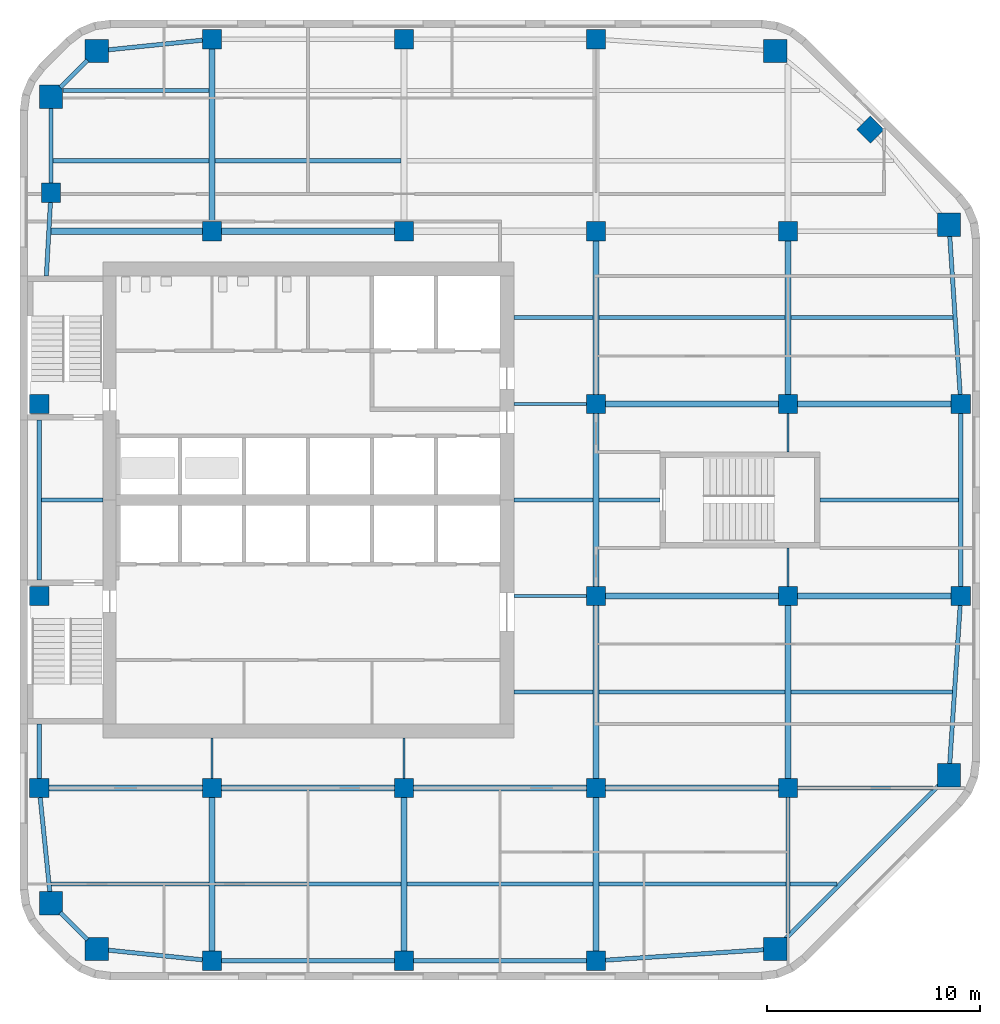
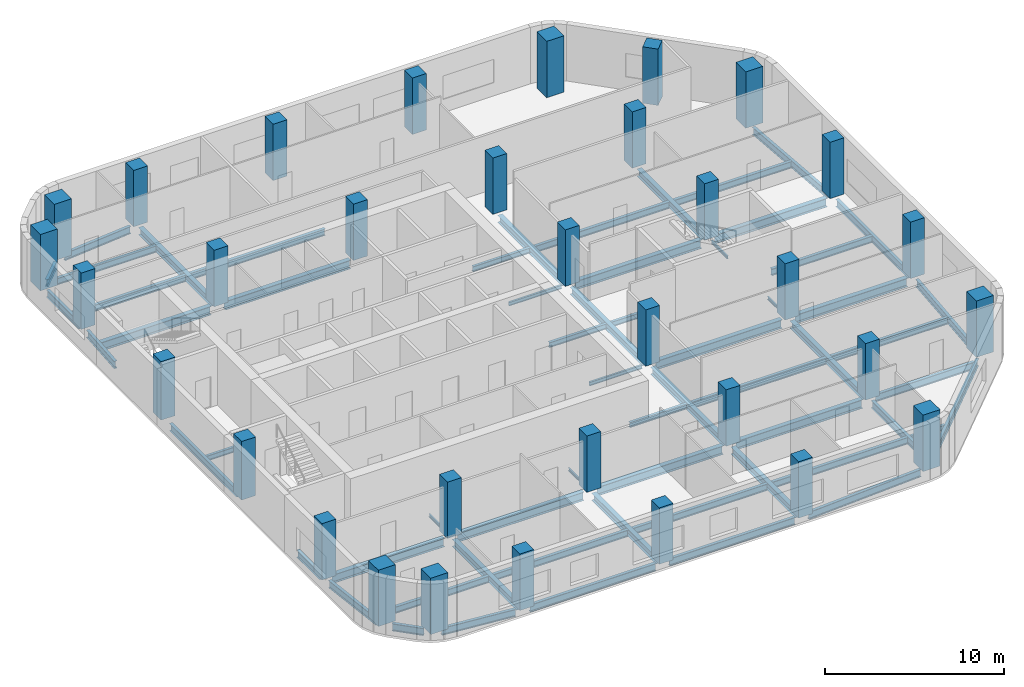
# One storey, part 1 of 9: 61 beams, 33 columns.
"""IFC4 building model written with IfcOpenShell, lengths in metres."""

from ifc_helpers import new_model, si_unit, direction, frame, origin, origin_2d, place, context, subcontext, project, spatial, rectangle, i_section, extrude, material, material_profile, profile_set, type_object, element, save


model = new_model("IFC4")

# Units and contexts
model_context = context("Model", 3, precision=1e-05, world=origin(), true_north=direction((0.0, 1.0)))
body_context = subcontext(model_context, "Body", "Model", "MODEL_VIEW")
ifc_project = project(units=[si_unit("LENGTHUNIT", "METRE"), si_unit("AREAUNIT", "SQUARE_METRE"), si_unit("VOLUMEUNIT", "CUBIC_METRE"), si_unit("PLANEANGLEUNIT", "RADIAN"), si_unit("MASSUNIT", "GRAM", prefix="KILO")], contexts=[model_context])

# Site, building, storey
site_placement = place(None, origin())
site = spatial("IfcSite", under=ifc_project, at=site_placement, CompositionType="ELEMENT")
building_placement = place(site_placement, origin())
building = spatial("IfcBuilding", under=site, at=building_placement, Name="Cinnabar Reach Civic Tower", CompositionType="ELEMENT")
storey_placement = place(building_placement, frame((0.0, 0.0, 153.0)))
storey = spatial("IfcBuildingStorey", under=building, at=storey_placement, Name="L36", CompositionType="ELEMENT", Elevation=153.0)

# Columns
ifc_material_1 = material(Name="Concrete C80", Category="concrete")
ifc_material_profile_1 = material_profile(ifc_material_1, rectangle(XDim=1.1, YDim=1.1, at=origin_2d()), Name="RC1100")
ifc_profile_set_1 = profile_set([ifc_material_profile_1], Name="Concrete C80")
column_type_1 = type_object("IfcColumnType", Name="RC1100 column R 240", PredefinedType="COLUMN", material=ifc_profile_set_1)
for number, where, z_axis, x_axis, name in (
    (1, (3.6019, 10.4531, 0.0), (0.0, 0.0, 1.0), (1.0, 0.0, 0.0), "Column T1-Z3-CC0"),
    (2, (35.3981, 10.4531, 0.0), (0.0, 0.0, 1.0), (1.0, 0.0, 0.0), "Column T1-Z3-CC1"),
    (3, (43.5469, 18.6019, 0.0), (0.0, 0.0, 1.0), (1.0, 0.0, 0.0), "Column T1-Z3-CC2"),
    (4, (43.5469, 44.3981, 0.0), (0.0, 0.0, 1.0), (1.0, 0.0, 0.0), "Column T1-Z3-CC3"),
    (5, (35.3981, 52.5469, 0.0), (0.0, 0.0, 1.0), (1.0, 0.0, 0.0), "Column T1-Z3-CC4"),
    (6, (3.6019, 52.5469, 0.0), (0.0, 0.0, 1.0), (1.0, 0.0, 0.0), "Column T1-Z3-CC5"),
    (7, (1.4531, 50.3981, 0.0), (0.0, 0.0, 1.0), (1.0, 0.0, 0.0), "Column T1-Z3-CC6"),
    (8, (1.4531, 12.6019, 0.0), (0.0, 0.0, 1.0), (1.0, 0.0, 0.0), "Column T1-Z3-CC7"),
):
    element("IfcColumn", number, at=place(storey_placement, frame(where, z_axis=z_axis, x_axis=x_axis)), inside=storey, type_object=column_type_1, Name=name, PredefinedType="COLUMN", context=body_context, shape_type="SweptSolid", body=[
        extrude(rectangle(XDim=1.1, YDim=1.1, at=origin_2d()), origin(), (0.0, 0.0, 1.0), 3.85),
    ])
ifc_material_2 = material(Name="Concrete C70", Category="concrete")
ifc_material_profile_2 = material_profile(ifc_material_2, rectangle(XDim=0.9, YDim=0.9, at=origin_2d()), Name="RC900")
ifc_profile_set_2 = profile_set([ifc_material_profile_2], Name="Concrete C70")
column_type_2 = type_object("IfcColumnType", Name="RC900 column R 240", PredefinedType="COLUMN", material=ifc_profile_set_2)
for number, where, z_axis, x_axis, name in (
    (9, (9.0, 9.9, 0.0), (0.0, 0.0, 1.0), (1.0, 0.0, 0.0), "Column T1-Z3-F0-1"),
    (10, (18.0, 9.9, 0.0), (0.0, 0.0, 1.0), (1.0, 0.0, 0.0), "Column T1-Z3-F0-2"),
    (11, (27.0, 9.9, 0.0), (0.0, 0.0, 1.0), (1.0, 0.0, 0.0), "Column T1-Z3-F0-3"),
    (12, (44.1, 27.0, 0.0), (0.0, 0.0, 1.0), (1.0, 0.0, 0.0), "Column T1-Z3-F2-3"),
    (13, (44.1, 36.0, 0.0), (0.0, 0.0, 1.0), (1.0, 0.0, 0.0), "Column T1-Z3-F2-4"),
    (14, (39.8636, 48.8636, 0.0), (0.0, 0.0, 1.0), (0.707106781187, 0.707106781187, 0.0), "Column T1-Z3-F3-M"),
    (15, (9.0, 53.1, 0.0), (0.0, 0.0, 1.0), (1.0, 0.0, 0.0), "Column T1-Z3-F4-1"),
    (16, (18.0, 53.1, 0.0), (0.0, 0.0, 1.0), (1.0, 0.0, 0.0), "Column T1-Z3-F4-2"),
    (17, (27.0, 53.1, 0.0), (0.0, 0.0, 1.0), (1.0, 0.0, 0.0), "Column T1-Z3-F4-3"),
    (18, (0.9, 18.0, 0.0), (0.0, 0.0, 1.0), (1.0, 0.0, 0.0), "Column T1-Z3-F6-2"),
):
    element("IfcColumn", number, at=place(storey_placement, frame(where, z_axis=z_axis, x_axis=x_axis)), inside=storey, type_object=column_type_2, Name=name, PredefinedType="COLUMN", context=body_context, shape_type="SweptSolid", body=[
        extrude(rectangle(XDim=0.9, YDim=0.9, at=origin_2d()), origin(), (0.0, 0.0, 1.0), 3.85),
    ])
for number, where, z_axis, x_axis, name in (
    (19, (0.9, 27.0, 0.0), (0.0, 0.0, 1.0), (1.0, 0.0, 0.0), "Column T1-Z3-F6-3"),
    (20, (0.9, 36.0, 0.0), (0.0, 0.0, 1.0), (1.0, 0.0, 0.0), "Column T1-Z3-F6-4"),
):
    element("IfcColumn", number, at=place(storey_placement, frame(where, z_axis=z_axis, x_axis=x_axis)), inside=storey, type_object=column_type_2, Name=name, PredefinedType="COLUMN", context=body_context, shape_type="SweptSolid", body=[
        extrude(rectangle(XDim=0.9, YDim=0.9, at=origin_2d()), origin(), (0.0, 0.0, 1.0), 4.0),
    ])
for number, where, z_axis, x_axis, name in (
    (21, (1.4531, 45.8981, 0.0), (0.0, 0.0, 1.0), (1.0, 0.0, 0.0), "Column T1-Z3-F6-5"),
    (22, (9.0, 18.0, 0.0), (0.0, 0.0, 1.0), (1.0, 0.0, 0.0), "Column T1-Z3-I9_18"),
    (23, (9.0, 44.1, 0.0), (0.0, 0.0, 1.0), (1.0, 0.0, 0.0), "Column T1-Z3-I9_45"),
    (24, (18.0, 18.0, 0.0), (0.0, 0.0, 1.0), (1.0, 0.0, 0.0), "Column T1-Z3-I18_18"),
    (25, (18.0, 44.1, 0.0), (0.0, 0.0, 1.0), (1.0, 0.0, 0.0), "Column T1-Z3-I18_45"),
    (26, (27.0, 18.0, 0.0), (0.0, 0.0, 1.0), (1.0, 0.0, 0.0), "Column T1-Z3-I27_18"),
    (27, (27.0, 27.0, 0.0), (0.0, 0.0, 1.0), (1.0, 0.0, 0.0), "Column T1-Z3-I27_27"),
    (28, (27.0, 36.0, 0.0), (0.0, 0.0, 1.0), (1.0, 0.0, 0.0), "Column T1-Z3-I27_36"),
    (29, (27.0, 44.1, 0.0), (0.0, 0.0, 1.0), (1.0, 0.0, 0.0), "Column T1-Z3-I27_45"),
    (30, (36.0, 18.0, 0.0), (0.0, 0.0, 1.0), (1.0, 0.0, 0.0), "Column T1-Z3-I36_18"),
    (31, (36.0, 27.0, 0.0), (0.0, 0.0, 1.0), (1.0, 0.0, 0.0), "Column T1-Z3-I36_27"),
    (32, (36.0, 36.0, 0.0), (0.0, 0.0, 1.0), (1.0, 0.0, 0.0), "Column T1-Z3-I36_36"),
    (33, (36.0, 44.1, 0.0), (0.0, 0.0, 1.0), (1.0, 0.0, 0.0), "Column T1-Z3-I36_45"),
):
    element("IfcColumn", number, at=place(storey_placement, frame(where, z_axis=z_axis, x_axis=x_axis)), inside=storey, type_object=column_type_2, Name=name, PredefinedType="COLUMN", context=body_context, shape_type="SweptSolid", body=[
        extrude(rectangle(XDim=0.9, YDim=0.9, at=origin_2d()), origin(), (0.0, 0.0, 1.0), 3.85),
    ])

# Beams
ifc_material_3 = material(Name="Steel Q355B", Category="steel")
ifc_material_profile_3 = material_profile(ifc_material_3, i_section(OverallWidth=0.3, OverallDepth=0.488, WebThickness=0.011, FlangeThickness=0.018, FilletRadius=0.016, at=origin_2d()), Name="HM488x300x11x18")
ifc_profile_set_3 = profile_set([ifc_material_profile_3], Name="Steel Q355B")
beam_type_1 = type_object("IfcBeamType", Name="HM488x300x11x18 beam R 180", PredefinedType="BEAM", material=ifc_profile_set_3)
beam_1_placement = place(storey_placement, frame((9.0, 10.352, -0.394), z_axis=(0.0, 1.0, 0.0), x_axis=(-1.0, 0.0, 0.0)))
element("IfcBeam", 34, at=beam_1_placement, inside=storey, type_object=beam_type_1, Name="Girder T1 L36 1", PredefinedType="BEAM", context=body_context, shape_type="SweptSolid", body=[
    extrude(i_section(OverallWidth=0.3, OverallDepth=0.488, WebThickness=0.011, FlangeThickness=0.018, FilletRadius=0.016, at=origin_2d()), origin(), (0.0, 0.0, 1.0), 7.196),
])
beam_2_placement = place(storey_placement, frame((9.0, 44.552, -0.394), z_axis=(0.0, 1.0, 0.0), x_axis=(-1.0, 0.0, 0.0)))
element("IfcBeam", 35, at=beam_2_placement, inside=storey, type_object=beam_type_1, Name="Girder T1 L36 3", PredefinedType="BEAM", context=body_context, shape_type="SweptSolid", body=[
    extrude(i_section(OverallWidth=0.3, OverallDepth=0.488, WebThickness=0.011, FlangeThickness=0.018, FilletRadius=0.016, at=origin_2d()), origin(), (0.0, 0.0, 1.0), 8.096),
])
for number, where, z_axis, x_axis, name in (
    (36, (18.0, 10.352, -0.394), (0.0, 1.0, 0.0), (-1.0, 0.0, 0.0), "Girder T1 L36 4"),
    (37, (27.0, 10.352, -0.394), (0.0, 1.0, 0.0), (-1.0, 0.0, 0.0), "Girder T1 L36 7"),
):
    element("IfcBeam", number, at=place(storey_placement, frame(where, z_axis=z_axis, x_axis=x_axis)), inside=storey, type_object=beam_type_1, Name=name, PredefinedType="BEAM", context=body_context, shape_type="SweptSolid", body=[
        extrude(i_section(OverallWidth=0.3, OverallDepth=0.488, WebThickness=0.011, FlangeThickness=0.018, FilletRadius=0.016, at=origin_2d()), origin(), (0.0, 0.0, 1.0), 7.196),
    ])
for number, where, z_axis, x_axis, name in (
    (38, (27.0, 18.452, -0.394), (0.0, 1.0, 0.0), (-1.0, 0.0, 0.0), "Girder T1 L36 8"),
    (39, (27.0, 27.452, -0.394), (0.0, 1.0, 0.0), (-1.0, 0.0, 0.0), "Girder T1 L36 9"),
):
    element("IfcBeam", number, at=place(storey_placement, frame(where, z_axis=z_axis, x_axis=x_axis)), inside=storey, type_object=beam_type_1, Name=name, PredefinedType="BEAM", context=body_context, shape_type="SweptSolid", body=[
        extrude(i_section(OverallWidth=0.3, OverallDepth=0.488, WebThickness=0.011, FlangeThickness=0.018, FilletRadius=0.016, at=origin_2d()), origin(), (0.0, 0.0, 1.0), 8.096),
    ])
beam_3_placement = place(storey_placement, frame((27.0, 36.452, -0.394), z_axis=(0.0, 1.0, 0.0), x_axis=(-1.0, 0.0, 0.0)))
element("IfcBeam", 40, at=beam_3_placement, inside=storey, type_object=beam_type_1, Name="Girder T1 L36 10", PredefinedType="BEAM", context=body_context, shape_type="SweptSolid", body=[
    extrude(i_section(OverallWidth=0.3, OverallDepth=0.488, WebThickness=0.011, FlangeThickness=0.018, FilletRadius=0.016, at=origin_2d()), origin(), (0.0, 0.0, 1.0), 7.196),
])
beam_4_placement = place(storey_placement, frame((36.0, 18.452, -0.394), z_axis=(0.0, 1.0, 0.0), x_axis=(-1.0, 0.0, 0.0)))
element("IfcBeam", 41, at=beam_4_placement, inside=storey, type_object=beam_type_1, Name="Girder T1 L36 13", PredefinedType="BEAM", context=body_context, shape_type="SweptSolid", body=[
    extrude(i_section(OverallWidth=0.3, OverallDepth=0.488, WebThickness=0.011, FlangeThickness=0.018, FilletRadius=0.016, at=origin_2d()), origin(), (0.0, 0.0, 1.0), 8.096),
])
beam_5_placement = place(storey_placement, frame((36.0, 36.452, -0.394), z_axis=(0.0, 1.0, 0.0), x_axis=(-1.0, 0.0, 0.0)))
element("IfcBeam", 42, at=beam_5_placement, inside=storey, type_object=beam_type_1, Name="Girder T1 L36 16", PredefinedType="BEAM", context=body_context, shape_type="SweptSolid", body=[
    extrude(i_section(OverallWidth=0.3, OverallDepth=0.488, WebThickness=0.011, FlangeThickness=0.018, FilletRadius=0.016, at=origin_2d()), origin(), (0.0, 0.0, 1.0), 7.196),
])
ifc_material_profile_4 = material_profile(ifc_material_3, i_section(OverallWidth=0.3, OverallDepth=0.588, WebThickness=0.012, FlangeThickness=0.02, FilletRadius=0.016, at=origin_2d()), Name="HM588x300x12x20")
ifc_profile_set_4 = profile_set([ifc_material_profile_4], Name="Steel Q355B")
beam_type_2 = type_object("IfcBeamType", Name="HM588x300x12x20 beam R 180", PredefinedType="BEAM", material=ifc_profile_set_4)
beam_6_placement = place(storey_placement, frame((1.352, 18.0, -0.444), z_axis=(1.0, 0.0, 0.0), x_axis=(0.0, 1.0, 0.0)))
element("IfcBeam", 43, at=beam_6_placement, inside=storey, type_object=beam_type_2, Name="Girder T1 L36 1", PredefinedType="BEAM", context=body_context, shape_type="SweptSolid", body=[
    extrude(i_section(OverallWidth=0.3, OverallDepth=0.588, WebThickness=0.012, FlangeThickness=0.02, FilletRadius=0.016, at=origin_2d()), origin(), (0.0, 0.0, 1.0), 7.196),
])
for number, where, z_axis, x_axis, name in (
    (44, (9.452, 18.0, -0.444), (1.0, 0.0, 0.0), (0.0, 1.0, 0.0), "Girder T1 L36 2"),
    (45, (18.452, 18.0, -0.444), (1.0, 0.0, 0.0), (0.0, 1.0, 0.0), "Girder T1 L36 3"),
    (46, (27.452, 18.0, -0.444), (1.0, 0.0, 0.0), (0.0, 1.0, 0.0), "Girder T1 L36 4"),
    (47, (27.452, 27.0, -0.444), (1.0, 0.0, 0.0), (0.0, 1.0, 0.0), "Girder T1 L36 7"),
):
    element("IfcBeam", number, at=place(storey_placement, frame(where, z_axis=z_axis, x_axis=x_axis)), inside=storey, type_object=beam_type_2, Name=name, PredefinedType="BEAM", context=body_context, shape_type="SweptSolid", body=[
        extrude(i_section(OverallWidth=0.3, OverallDepth=0.588, WebThickness=0.012, FlangeThickness=0.02, FilletRadius=0.016, at=origin_2d()), origin(), (0.0, 0.0, 1.0), 8.096),
    ])
beam_7_placement = place(storey_placement, frame((36.452, 27.0, -0.444), z_axis=(1.0, 0.0, 0.0), x_axis=(0.0, 1.0, 0.0)))
element("IfcBeam", 48, at=beam_7_placement, inside=storey, type_object=beam_type_2, Name="Girder T1 L36 8", PredefinedType="BEAM", context=body_context, shape_type="SweptSolid", body=[
    extrude(i_section(OverallWidth=0.3, OverallDepth=0.588, WebThickness=0.012, FlangeThickness=0.02, FilletRadius=0.016, at=origin_2d()), origin(), (0.0, 0.0, 1.0), 7.196),
])
beam_8_placement = place(storey_placement, frame((27.452, 36.0, -0.444), z_axis=(1.0, 0.0, 0.0), x_axis=(0.0, 1.0, 0.0)))
element("IfcBeam", 49, at=beam_8_placement, inside=storey, type_object=beam_type_2, Name="Girder T1 L36 10", PredefinedType="BEAM", context=body_context, shape_type="SweptSolid", body=[
    extrude(i_section(OverallWidth=0.3, OverallDepth=0.588, WebThickness=0.012, FlangeThickness=0.02, FilletRadius=0.016, at=origin_2d()), origin(), (0.0, 0.0, 1.0), 8.096),
])
beam_9_placement = place(storey_placement, frame((36.452, 36.0, -0.444), z_axis=(1.0, 0.0, 0.0), x_axis=(0.0, 1.0, 0.0)))
element("IfcBeam", 50, at=beam_9_placement, inside=storey, type_object=beam_type_2, Name="Girder T1 L36 11", PredefinedType="BEAM", context=body_context, shape_type="SweptSolid", body=[
    extrude(i_section(OverallWidth=0.3, OverallDepth=0.588, WebThickness=0.012, FlangeThickness=0.02, FilletRadius=0.016, at=origin_2d()), origin(), (0.0, 0.0, 1.0), 7.196),
])
beam_10_placement = place(storey_placement, frame((1.4548, 44.1, -0.444), z_axis=(1.0, 0.0, 0.0), x_axis=(0.0, 1.0, 0.0)))
element("IfcBeam", 51, at=beam_10_placement, inside=storey, type_object=beam_type_2, Name="Girder T1 L36 12", PredefinedType="BEAM", context=body_context, shape_type="SweptSolid", body=[
    extrude(i_section(OverallWidth=0.3, OverallDepth=0.588, WebThickness=0.012, FlangeThickness=0.02, FilletRadius=0.016, at=origin_2d()), origin(), (0.0, 0.0, 1.0), 7.0932),
])
beam_11_placement = place(storey_placement, frame((9.452, 44.1, -0.444), z_axis=(1.0, 0.0, 0.0), x_axis=(0.0, 1.0, 0.0)))
element("IfcBeam", 52, at=beam_11_placement, inside=storey, type_object=beam_type_2, Name="Girder T1 L36 13", PredefinedType="BEAM", context=body_context, shape_type="SweptSolid", body=[
    extrude(i_section(OverallWidth=0.3, OverallDepth=0.588, WebThickness=0.012, FlangeThickness=0.02, FilletRadius=0.016, at=origin_2d()), origin(), (0.0, 0.0, 1.0), 8.096),
])
ifc_material_profile_5 = material_profile(ifc_material_3, i_section(OverallWidth=0.099, OverallDepth=0.198, WebThickness=0.0045, FlangeThickness=0.007, FilletRadius=0.013, at=origin_2d()), Name="HN200x100x5.5x8")
ifc_profile_set_5 = profile_set([ifc_material_profile_5], Name="Steel Q355B")
beam_type_3 = type_object("IfcBeamType", Name="HN200x100x5.5x8 beam R 180", PredefinedType="BEAM", material=ifc_profile_set_5)
for number, where, z_axis, x_axis, name in (
    (53, (9.0, 18.452, -0.249), (0.0, 1.0, 0.0), (-1.0, 0.0, 0.0), "Girder T1 L36 2"),
    (54, (18.0, 18.452, -0.249), (0.0, 1.0, 0.0), (-1.0, 0.0, 0.0), "Girder T1 L36 5"),
):
    element("IfcBeam", number, at=place(storey_placement, frame(where, z_axis=z_axis, x_axis=x_axis)), inside=storey, type_object=beam_type_3, Name=name, PredefinedType="BEAM", context=body_context, shape_type="SweptSolid", body=[
        extrude(i_section(OverallWidth=0.099, OverallDepth=0.198, WebThickness=0.0045, FlangeThickness=0.007, FilletRadius=0.013, at=origin_2d()), origin(), (0.0, 0.0, 1.0), 1.896),
    ])
for number, where, z_axis, x_axis, name in (
    (55, (36.0, 27.452, -0.249), (0.0, 1.0, 0.0), (-1.0, 0.0, 0.0), "Girder T1 L36 14"),
    (56, (36.0, 33.752, -0.249), (0.0, 1.0, 0.0), (-1.0, 0.0, 0.0), "Girder T1 L36 15"),
):
    element("IfcBeam", number, at=place(storey_placement, frame(where, z_axis=z_axis, x_axis=x_axis)), inside=storey, type_object=beam_type_3, Name=name, PredefinedType="BEAM", context=body_context, shape_type="SweptSolid", body=[
        extrude(i_section(OverallWidth=0.099, OverallDepth=0.198, WebThickness=0.0045, FlangeThickness=0.007, FilletRadius=0.013, at=origin_2d()), origin(), (0.0, 0.0, 1.0), 1.796),
    ])
ifc_material_profile_6 = material_profile(ifc_material_3, i_section(OverallWidth=0.124, OverallDepth=0.248, WebThickness=0.005, FlangeThickness=0.008, FilletRadius=0.013, at=origin_2d()), Name="HN250x125x6x9")
ifc_profile_set_6 = profile_set([ifc_material_profile_6], Name="Steel Q355B")
beam_type_4 = type_object("IfcBeamType", Name="HN250x125x6x9 beam R 180", PredefinedType="BEAM", material=ifc_profile_set_6)
for number, where, z_axis, x_axis, name in (
    (57, (23.152, 27.0, -0.274), (1.0, 0.0, 0.0), (0.0, 1.0, 0.0), "Girder T1 L36 6"),
    (58, (23.152, 36.0, -0.274), (1.0, 0.0, 0.0), (0.0, 1.0, 0.0), "Girder T1 L36 9"),
):
    element("IfcBeam", number, at=place(storey_placement, frame(where, z_axis=z_axis, x_axis=x_axis)), inside=storey, type_object=beam_type_4, Name=name, PredefinedType="BEAM", context=body_context, shape_type="SweptSolid", body=[
        extrude(i_section(OverallWidth=0.124, OverallDepth=0.248, WebThickness=0.005, FlangeThickness=0.008, FilletRadius=0.013, at=origin_2d()), origin(), (0.0, 0.0, 1.0), 3.396),
    ])
ifc_material_profile_7 = material_profile(ifc_material_3, i_section(OverallWidth=0.175, OverallDepth=0.35, WebThickness=0.007, FlangeThickness=0.011, FilletRadius=0.013, at=origin_2d()), Name="HN350x175x7x11")
ifc_profile_set_7 = profile_set([ifc_material_profile_7], Name="Steel Q355B")
beam_type_5 = type_object("IfcBeamType", Name="HN350x175x7x11 beam R 180", PredefinedType="BEAM", material=ifc_profile_set_7)
beam_12_placement = place(storey_placement, frame((36.102, 13.5, -0.325), z_axis=(1.0, 0.0, 0.0), x_axis=(0.0, 1.0, 0.0)))
element("IfcBeam", 59, at=beam_12_placement, inside=storey, type_object=beam_type_5, Name="Secondary beam T1 L36 5", PredefinedType="BEAM", context=body_context, shape_type="SweptSolid", body=[
    extrude(i_section(OverallWidth=0.175, OverallDepth=0.35, WebThickness=0.007, FlangeThickness=0.011, FilletRadius=0.013, at=origin_2d()), origin(), (0.0, 0.0, 1.0), 2.1988),
])
beam_13_placement = place(storey_placement, frame((23.152, 22.5, -0.325), z_axis=(1.0, 0.0, 0.0), x_axis=(0.0, 1.0, 0.0)))
element("IfcBeam", 60, at=beam_13_placement, inside=storey, type_object=beam_type_5, Name="Secondary beam T1 L36 6", PredefinedType="BEAM", context=body_context, shape_type="SweptSolid", body=[
    extrude(i_section(OverallWidth=0.175, OverallDepth=0.35, WebThickness=0.007, FlangeThickness=0.011, FilletRadius=0.013, at=origin_2d()), origin(), (0.0, 0.0, 1.0), 3.696),
])
beam_14_placement = place(storey_placement, frame((1.002, 31.5, -0.325), z_axis=(1.0, 0.0, 0.0), x_axis=(0.0, 1.0, 0.0)))
element("IfcBeam", 61, at=beam_14_placement, inside=storey, type_object=beam_type_5, Name="Secondary beam T1 L36 9", PredefinedType="BEAM", context=body_context, shape_type="SweptSolid", body=[
    extrude(i_section(OverallWidth=0.175, OverallDepth=0.35, WebThickness=0.007, FlangeThickness=0.011, FilletRadius=0.013, at=origin_2d()), origin(), (0.0, 0.0, 1.0), 2.896),
])
beam_15_placement = place(storey_placement, frame((23.152, 31.5, -0.325), z_axis=(1.0, 0.0, 0.0), x_axis=(0.0, 1.0, 0.0)))
element("IfcBeam", 62, at=beam_15_placement, inside=storey, type_object=beam_type_5, Name="Secondary beam T1 L36 10", PredefinedType="BEAM", context=body_context, shape_type="SweptSolid", body=[
    extrude(i_section(OverallWidth=0.175, OverallDepth=0.35, WebThickness=0.007, FlangeThickness=0.011, FilletRadius=0.013, at=origin_2d()), origin(), (0.0, 0.0, 1.0), 3.696),
])
beam_16_placement = place(storey_placement, frame((27.152, 31.5, -0.325), z_axis=(1.0, 0.0, 0.0), x_axis=(0.0, 1.0, 0.0)))
element("IfcBeam", 63, at=beam_16_placement, inside=storey, type_object=beam_type_5, Name="Secondary beam T1 L36 11", PredefinedType="BEAM", context=body_context, shape_type="SweptSolid", body=[
    extrude(i_section(OverallWidth=0.175, OverallDepth=0.35, WebThickness=0.007, FlangeThickness=0.011, FilletRadius=0.013, at=origin_2d()), origin(), (0.0, 0.0, 1.0), 2.846),
])
beam_17_placement = place(storey_placement, frame((23.152, 40.05, -0.325), z_axis=(1.0, 0.0, 0.0), x_axis=(0.0, 1.0, 0.0)))
element("IfcBeam", 64, at=beam_17_placement, inside=storey, type_object=beam_type_5, Name="Secondary beam T1 L36 13", PredefinedType="BEAM", context=body_context, shape_type="SweptSolid", body=[
    extrude(i_section(OverallWidth=0.175, OverallDepth=0.35, WebThickness=0.007, FlangeThickness=0.011, FilletRadius=0.013, at=origin_2d()), origin(), (0.0, 0.0, 1.0), 3.696),
])
ifc_material_profile_8 = material_profile(ifc_material_3, i_section(OverallWidth=0.2, OverallDepth=0.45, WebThickness=0.009, FlangeThickness=0.014, FilletRadius=0.016, at=origin_2d()), Name="HN450x200x9x14")
ifc_profile_set_8 = profile_set([ifc_material_profile_8], Name="Steel Q355B")
beam_type_6 = type_object("IfcBeamType", Name="HN450x200x9x14 beam R 180", PredefinedType="BEAM", material=ifc_profile_set_8)
beam_18_placement = place(storey_placement, frame((1.4636, 13.5, -0.375), z_axis=(1.0, 0.0, 0.0), x_axis=(0.0, 1.0, 0.0)))
element("IfcBeam", 65, at=beam_18_placement, inside=storey, type_object=beam_type_6, Name="Secondary beam T1 L36 1", PredefinedType="BEAM", context=body_context, shape_type="SweptSolid", body=[
    extrude(i_section(OverallWidth=0.2, OverallDepth=0.45, WebThickness=0.009, FlangeThickness=0.014, FilletRadius=0.016, at=origin_2d()), origin(), (0.0, 0.0, 1.0), 7.3844),
])
for number, where, z_axis, x_axis, name in (
    (66, (9.152, 13.5, -0.375), (1.0, 0.0, 0.0), (0.0, 1.0, 0.0), "Secondary beam T1 L36 2"),
    (67, (18.152, 13.5, -0.375), (1.0, 0.0, 0.0), (0.0, 1.0, 0.0), "Secondary beam T1 L36 3"),
):
    element("IfcBeam", number, at=place(storey_placement, frame(where, z_axis=z_axis, x_axis=x_axis)), inside=storey, type_object=beam_type_6, Name=name, PredefinedType="BEAM", context=body_context, shape_type="SweptSolid", body=[
        extrude(i_section(OverallWidth=0.2, OverallDepth=0.45, WebThickness=0.009, FlangeThickness=0.014, FilletRadius=0.016, at=origin_2d()), origin(), (0.0, 0.0, 1.0), 8.696),
    ])
beam_19_placement = place(storey_placement, frame((27.152, 13.5, -0.375), z_axis=(1.0, 0.0, 0.0), x_axis=(0.0, 1.0, 0.0)))
element("IfcBeam", 68, at=beam_19_placement, inside=storey, type_object=beam_type_6, Name="Secondary beam T1 L36 4", PredefinedType="BEAM", context=body_context, shape_type="SweptSolid", body=[
    extrude(i_section(OverallWidth=0.2, OverallDepth=0.45, WebThickness=0.009, FlangeThickness=0.014, FilletRadius=0.016, at=origin_2d()), origin(), (0.0, 0.0, 1.0), 8.746),
])
beam_20_placement = place(storey_placement, frame((27.152, 22.5, -0.375), z_axis=(1.0, 0.0, 0.0), x_axis=(0.0, 1.0, 0.0)))
element("IfcBeam", 69, at=beam_20_placement, inside=storey, type_object=beam_type_6, Name="Secondary beam T1 L36 7", PredefinedType="BEAM", context=body_context, shape_type="SweptSolid", body=[
    extrude(i_section(OverallWidth=0.2, OverallDepth=0.45, WebThickness=0.009, FlangeThickness=0.014, FilletRadius=0.016, at=origin_2d()), origin(), (0.0, 0.0, 1.0), 8.696),
])
beam_21_placement = place(storey_placement, frame((36.152, 22.5, -0.375), z_axis=(1.0, 0.0, 0.0), x_axis=(0.0, 1.0, 0.0)))
element("IfcBeam", 70, at=beam_21_placement, inside=storey, type_object=beam_type_6, Name="Secondary beam T1 L36 8", PredefinedType="BEAM", context=body_context, shape_type="SweptSolid", body=[
    extrude(i_section(OverallWidth=0.2, OverallDepth=0.45, WebThickness=0.009, FlangeThickness=0.014, FilletRadius=0.016, at=origin_2d()), origin(), (0.0, 0.0, 1.0), 7.5494),
])
beam_22_placement = place(storey_placement, frame((37.502, 31.5, -0.375), z_axis=(1.0, 0.0, 0.0), x_axis=(0.0, 1.0, 0.0)))
element("IfcBeam", 71, at=beam_22_placement, inside=storey, type_object=beam_type_6, Name="Secondary beam T1 L36 12", PredefinedType="BEAM", context=body_context, shape_type="SweptSolid", body=[
    extrude(i_section(OverallWidth=0.2, OverallDepth=0.45, WebThickness=0.009, FlangeThickness=0.014, FilletRadius=0.016, at=origin_2d()), origin(), (0.0, 0.0, 1.0), 6.496),
])
beam_23_placement = place(storey_placement, frame((27.152, 40.05, -0.375), z_axis=(1.0, 0.0, 0.0), x_axis=(0.0, 1.0, 0.0)))
element("IfcBeam", 72, at=beam_23_placement, inside=storey, type_object=beam_type_6, Name="Secondary beam T1 L36 14", PredefinedType="BEAM", context=body_context, shape_type="SweptSolid", body=[
    extrude(i_section(OverallWidth=0.2, OverallDepth=0.45, WebThickness=0.009, FlangeThickness=0.014, FilletRadius=0.016, at=origin_2d()), origin(), (0.0, 0.0, 1.0), 8.696),
])
beam_24_placement = place(storey_placement, frame((36.152, 40.05, -0.375), z_axis=(1.0, 0.0, 0.0), x_axis=(0.0, 1.0, 0.0)))
element("IfcBeam", 73, at=beam_24_placement, inside=storey, type_object=beam_type_6, Name="Secondary beam T1 L36 15", PredefinedType="BEAM", context=body_context, shape_type="SweptSolid", body=[
    extrude(i_section(OverallWidth=0.2, OverallDepth=0.45, WebThickness=0.009, FlangeThickness=0.014, FilletRadius=0.016, at=origin_2d()), origin(), (0.0, 0.0, 1.0), 7.579),
])
beam_25_placement = place(storey_placement, frame((1.5551, 47.4, -0.375), z_axis=(1.0, 0.0, 0.0), x_axis=(0.0, 1.0, 0.0)))
element("IfcBeam", 74, at=beam_25_placement, inside=storey, type_object=beam_type_6, Name="Secondary beam T1 L36 16", PredefinedType="BEAM", context=body_context, shape_type="SweptSolid", body=[
    extrude(i_section(OverallWidth=0.2, OverallDepth=0.45, WebThickness=0.009, FlangeThickness=0.014, FilletRadius=0.016, at=origin_2d()), origin(), (0.0, 0.0, 1.0), 7.2929),
])
beam_26_placement = place(storey_placement, frame((9.152, 47.4, -0.375), z_axis=(1.0, 0.0, 0.0), x_axis=(0.0, 1.0, 0.0)))
element("IfcBeam", 75, at=beam_26_placement, inside=storey, type_object=beam_type_6, Name="Secondary beam T1 L36 17", PredefinedType="BEAM", context=body_context, shape_type="SweptSolid", body=[
    extrude(i_section(OverallWidth=0.2, OverallDepth=0.45, WebThickness=0.009, FlangeThickness=0.014, FilletRadius=0.016, at=origin_2d()), origin(), (0.0, 0.0, 1.0), 8.696),
])
beam_27_placement = place(storey_placement, frame((2.0051, 50.7, -0.375), z_axis=(1.0, 0.0, 0.0), x_axis=(0.0, 1.0, 0.0)))
element("IfcBeam", 76, at=beam_27_placement, inside=storey, type_object=beam_type_6, Name="Secondary beam T1 L36 21", PredefinedType="BEAM", context=body_context, shape_type="SweptSolid", body=[
    extrude(i_section(OverallWidth=0.2, OverallDepth=0.45, WebThickness=0.009, FlangeThickness=0.014, FilletRadius=0.016, at=origin_2d()), origin(), (0.0, 0.0, 1.0), 6.8429),
])
ifc_material_profile_9 = material_profile(ifc_material_3, i_section(OverallWidth=0.2, OverallDepth=0.5, WebThickness=0.01, FlangeThickness=0.016, FilletRadius=0.016, at=origin_2d()), Name="HN500x200x10x16")
ifc_profile_set_9 = profile_set([ifc_material_profile_9], Name="Steel Q355B")
beam_type_7 = type_object("IfcBeamType", Name="HN500x200x10x16 beam R 180", PredefinedType="BEAM", material=ifc_profile_set_9)
beam_28_placement = place(storey_placement, frame((4.0339, 10.4088, -0.4), z_axis=(0.994792272495, -0.101923179821, 0.0), x_axis=(0.101923179821, 0.994792272495, 0.0)))
element("IfcBeam", 77, at=beam_28_placement, inside=storey, type_object=beam_type_7, Name="Edge beam T1 L36 1", PredefinedType="BEAM", context=body_context, shape_type="SweptSolid", body=[
    extrude(i_section(OverallWidth=0.2, OverallDepth=0.5, WebThickness=0.01, FlangeThickness=0.016, FilletRadius=0.016, at=origin_2d()), origin(), (0.0, 0.0, 1.0), 4.5377),
])
for number, where, z_axis, x_axis, name in (
    (78, (9.452, 9.9, -0.4), (1.0, 0.0, 0.0), (0.0, 1.0, 0.0), "Edge beam T1 L36 2"),
    (79, (18.452, 9.9, -0.4), (1.0, 0.0, 0.0), (0.0, 1.0, 0.0), "Edge beam T1 L36 3"),
):
    element("IfcBeam", number, at=place(storey_placement, frame(where, z_axis=z_axis, x_axis=x_axis)), inside=storey, type_object=beam_type_7, Name=name, PredefinedType="BEAM", context=body_context, shape_type="SweptSolid", body=[
        extrude(i_section(OverallWidth=0.2, OverallDepth=0.5, WebThickness=0.01, FlangeThickness=0.016, FilletRadius=0.016, at=origin_2d()), origin(), (0.0, 0.0, 1.0), 8.096),
    ])
beam_29_placement = place(storey_placement, frame((27.452, 9.9298, -0.4), z_axis=(0.99783894477, 0.065707231721, 0.0), x_axis=(-0.065707231721, 0.99783894477, 0.0)))
element("IfcBeam", 80, at=beam_29_placement, inside=storey, type_object=beam_type_7, Name="Edge beam T1 L36 4", PredefinedType="BEAM", context=body_context, shape_type="SweptSolid", body=[
    extrude(i_section(OverallWidth=0.2, OverallDepth=0.5, WebThickness=0.01, FlangeThickness=0.016, FilletRadius=0.016, at=origin_2d()), origin(), (0.0, 0.0, 1.0), 7.5304),
])
beam_30_placement = place(storey_placement, frame((35.8301, 10.8851, -0.4), z_axis=(0.707106781187, 0.707106781187, 0.0), x_axis=(-0.707106781187, 0.707106781187, 0.0)))
element("IfcBeam", 81, at=beam_30_placement, inside=storey, type_object=beam_type_7, Name="Edge beam T1 L36 5", PredefinedType="BEAM", context=body_context, shape_type="SweptSolid", body=[
    extrude(i_section(OverallWidth=0.2, OverallDepth=0.5, WebThickness=0.01, FlangeThickness=0.016, FilletRadius=0.016, at=origin_2d()), origin(), (0.0, 0.0, 1.0), 10.3023),
])
beam_31_placement = place(storey_placement, frame((43.5754, 19.0339, -0.4), z_axis=(0.065707231721, 0.99783894477, 0.0), x_axis=(-0.99783894477, 0.065707231721, 0.0)))
element("IfcBeam", 82, at=beam_31_placement, inside=storey, type_object=beam_type_7, Name="Edge beam T1 L36 6", PredefinedType="BEAM", context=body_context, shape_type="SweptSolid", body=[
    extrude(i_section(OverallWidth=0.2, OverallDepth=0.5, WebThickness=0.01, FlangeThickness=0.016, FilletRadius=0.016, at=origin_2d()), origin(), (0.0, 0.0, 1.0), 7.5304),
])
beam_32_placement = place(storey_placement, frame((44.1, 27.452, -0.4), z_axis=(0.0, 1.0, 0.0), x_axis=(-1.0, 0.0, 0.0)))
element("IfcBeam", 83, at=beam_32_placement, inside=storey, type_object=beam_type_7, Name="Edge beam T1 L36 7", PredefinedType="BEAM", context=body_context, shape_type="SweptSolid", body=[
    extrude(i_section(OverallWidth=0.2, OverallDepth=0.5, WebThickness=0.01, FlangeThickness=0.016, FilletRadius=0.016, at=origin_2d()), origin(), (0.0, 0.0, 1.0), 8.096),
])
beam_33_placement = place(storey_placement, frame((44.0702, 36.452, -0.4), z_axis=(-0.065707231721, 0.99783894477, 0.0), x_axis=(-0.99783894477, -0.065707231721, 0.0)))
element("IfcBeam", 84, at=beam_33_placement, inside=storey, type_object=beam_type_7, Name="Edge beam T1 L36 8", PredefinedType="BEAM", context=body_context, shape_type="SweptSolid", body=[
    extrude(i_section(OverallWidth=0.2, OverallDepth=0.5, WebThickness=0.01, FlangeThickness=0.016, FilletRadius=0.016, at=origin_2d()), origin(), (0.0, 0.0, 1.0), 7.5304),
])
beam_34_placement = place(storey_placement, frame((8.548, 53.0537, -0.4), z_axis=(-0.994792272495, -0.101923179821, 0.0), x_axis=(0.101923179821, -0.994792272495, 0.0)))
element("IfcBeam", 85, at=beam_34_placement, inside=storey, type_object=beam_type_7, Name="Edge beam T1 L36 14", PredefinedType="BEAM", context=body_context, shape_type="SweptSolid", body=[
    extrude(i_section(OverallWidth=0.2, OverallDepth=0.5, WebThickness=0.01, FlangeThickness=0.016, FilletRadius=0.016, at=origin_2d()), origin(), (0.0, 0.0, 1.0), 4.5377),
])
beam_35_placement = place(storey_placement, frame((3.1699, 52.1149, -0.4), z_axis=(-0.707106781187, -0.707106781187, 0.0), x_axis=(0.707106781187, -0.707106781187, 0.0)))
element("IfcBeam", 86, at=beam_35_placement, inside=storey, type_object=beam_type_7, Name="Edge beam T1 L36 15", PredefinedType="BEAM", context=body_context, shape_type="SweptSolid", body=[
    extrude(i_section(OverallWidth=0.2, OverallDepth=0.5, WebThickness=0.01, FlangeThickness=0.016, FilletRadius=0.016, at=origin_2d()), origin(), (0.0, 0.0, 1.0), 1.817),
])
beam_36_placement = place(storey_placement, frame((1.4531, 49.9661, -0.4), z_axis=(0.0, -1.0, 0.0), x_axis=(1.0, 0.0, 0.0)))
element("IfcBeam", 87, at=beam_36_placement, inside=storey, type_object=beam_type_7, Name="Edge beam T1 L36 16", PredefinedType="BEAM", context=body_context, shape_type="SweptSolid", body=[
    extrude(i_section(OverallWidth=0.2, OverallDepth=0.5, WebThickness=0.01, FlangeThickness=0.016, FilletRadius=0.016, at=origin_2d()), origin(), (0.0, 0.0, 1.0), 3.616),
])
beam_37_placement = place(storey_placement, frame((1.4278, 45.4461, -0.4), z_axis=(-0.0557766862, -0.998443268932, 0.0), x_axis=(0.998443268932, -0.0557766862, 0.0)))
element("IfcBeam", 88, at=beam_37_placement, inside=storey, type_object=beam_type_7, Name="Edge beam T1 L36 17", PredefinedType="BEAM", context=body_context, shape_type="SweptSolid", body=[
    extrude(i_section(OverallWidth=0.2, OverallDepth=0.5, WebThickness=0.01, FlangeThickness=0.016, FilletRadius=0.016, at=origin_2d()), origin(), (0.0, 0.0, 1.0), 3.4495),
])
beam_38_placement = place(storey_placement, frame((0.9, 35.248, -0.4), z_axis=(0.0, -1.0, 0.0), x_axis=(1.0, 0.0, 0.0)))
element("IfcBeam", 89, at=beam_38_placement, inside=storey, type_object=beam_type_7, Name="Edge beam T1 L36 18", PredefinedType="BEAM", context=body_context, shape_type="SweptSolid", body=[
    extrude(i_section(OverallWidth=0.2, OverallDepth=0.5, WebThickness=0.01, FlangeThickness=0.016, FilletRadius=0.016, at=origin_2d()), origin(), (0.0, 0.0, 1.0), 7.496),
])
beam_39_placement = place(storey_placement, frame((0.9, 20.998, -0.4), z_axis=(0.0, -1.0, 0.0), x_axis=(1.0, 0.0, 0.0)))
element("IfcBeam", 90, at=beam_39_placement, inside=storey, type_object=beam_type_7, Name="Edge beam T1 L36 19", PredefinedType="BEAM", context=body_context, shape_type="SweptSolid", body=[
    extrude(i_section(OverallWidth=0.2, OverallDepth=0.5, WebThickness=0.01, FlangeThickness=0.016, FilletRadius=0.016, at=origin_2d()), origin(), (0.0, 0.0, 1.0), 2.546),
])
beam_40_placement = place(storey_placement, frame((0.9463, 17.548, -0.4), z_axis=(0.101923179821, -0.994792272495, 0.0), x_axis=(0.994792272495, 0.101923179821, 0.0)))
element("IfcBeam", 91, at=beam_40_placement, inside=storey, type_object=beam_type_7, Name="Edge beam T1 L36 20", PredefinedType="BEAM", context=body_context, shape_type="SweptSolid", body=[
    extrude(i_section(OverallWidth=0.2, OverallDepth=0.5, WebThickness=0.01, FlangeThickness=0.016, FilletRadius=0.016, at=origin_2d()), origin(), (0.0, 0.0, 1.0), 4.5377),
])
beam_41_placement = place(storey_placement, frame((1.8851, 12.1699, -0.4), z_axis=(0.707106781187, -0.707106781187, 0.0), x_axis=(0.707106781187, 0.707106781187, 0.0)))
element("IfcBeam", 92, at=beam_41_placement, inside=storey, type_object=beam_type_7, Name="Edge beam T1 L36 21", PredefinedType="BEAM", context=body_context, shape_type="SweptSolid", body=[
    extrude(i_section(OverallWidth=0.2, OverallDepth=0.5, WebThickness=0.01, FlangeThickness=0.016, FilletRadius=0.016, at=origin_2d()), origin(), (0.0, 0.0, 1.0), 1.817),
])
for number, where, z_axis, x_axis, name in (
    (93, (36.452, 18.0, -0.4), (1.0, 0.0, 0.0), (0.0, 1.0, 0.0), "Girder T1 L36 5"),
    (94, (36.0, 11.1992, -0.4), (0.0, 1.0, 0.0), (-1.0, 0.0, 0.0), "Girder T1 L36 12"),
):
    element("IfcBeam", number, at=place(storey_placement, frame(where, z_axis=z_axis, x_axis=x_axis)), inside=storey, type_object=beam_type_7, Name=name, PredefinedType="BEAM", context=body_context, shape_type="SweptSolid", body=[
        extrude(i_section(OverallWidth=0.2, OverallDepth=0.5, WebThickness=0.01, FlangeThickness=0.016, FilletRadius=0.016, at=origin_2d()), origin(), (0.0, 0.0, 1.0), 6.3488),
    ])

save(model, "model.ifc")
